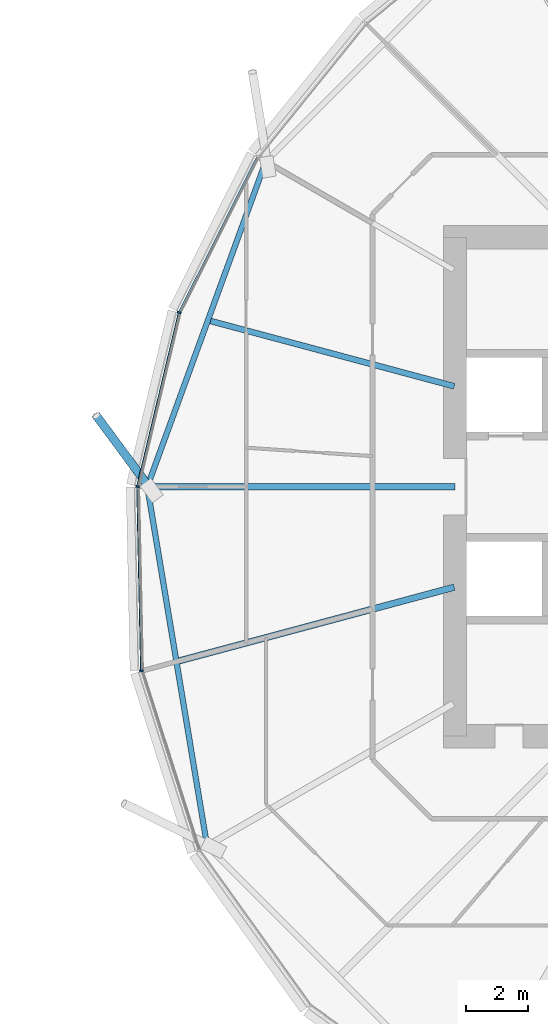
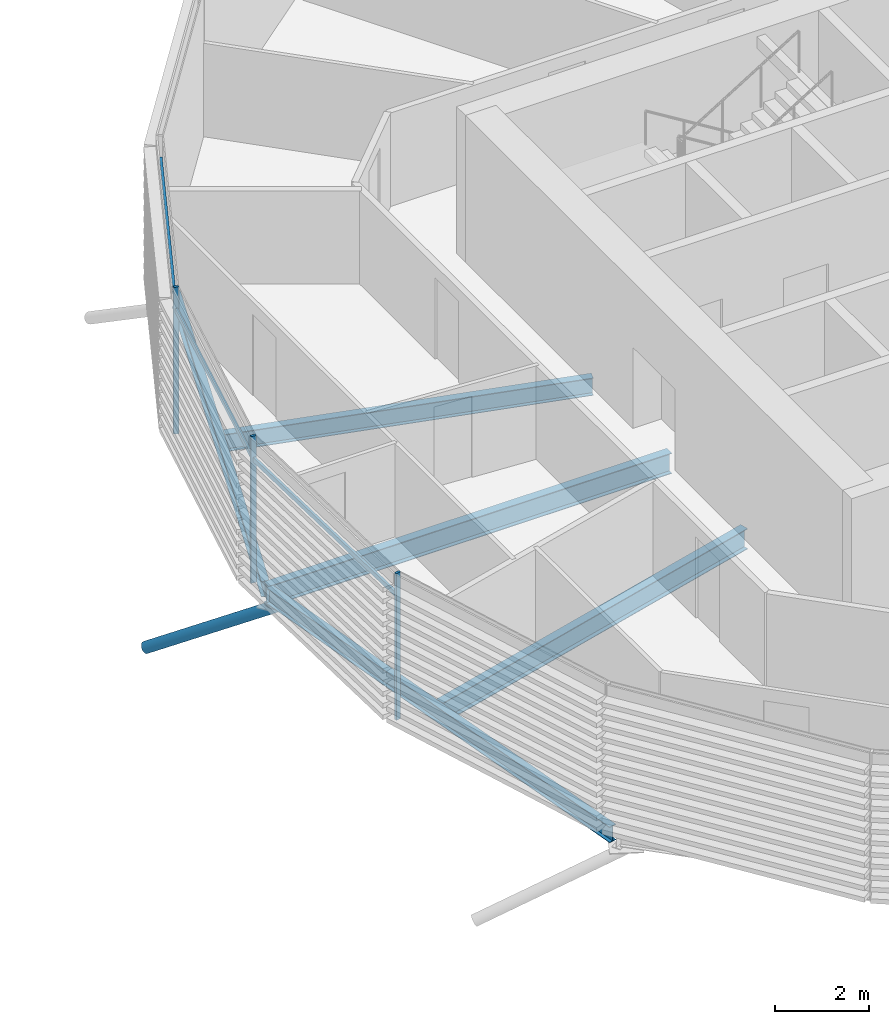
# One storey, part 13 of 39: 7 members, 5 beams, 1 element without a shape of its own.
"""IFC4 building model written with IfcOpenShell, lengths in metres."""

from ifc_helpers import new_model, si_unit, direction, frame, origin, origin_2d, place, context, subcontext, project, spatial, rectangle, hollow_circle, i_section, extrude, clip, halfspace, material, material_profile, profile_set, type_object, element, aggregate, save


model = new_model("IFC4")

# Units and contexts
model_context = context("Model", 3, precision=1e-05, world=origin(), true_north=direction((0.0, 1.0)))
body_context = subcontext(model_context, "Body", "Model", "MODEL_VIEW")
ifc_project = project(units=[si_unit("LENGTHUNIT", "METRE"), si_unit("AREAUNIT", "SQUARE_METRE"), si_unit("VOLUMEUNIT", "CUBIC_METRE"), si_unit("PLANEANGLEUNIT", "RADIAN"), si_unit("MASSUNIT", "GRAM", prefix="KILO")], contexts=[model_context])

# Site, building, storey
site_placement = place(None, origin())
site = spatial("IfcSite", under=ifc_project, at=site_placement, CompositionType="ELEMENT")
building_placement = place(site_placement, origin())
building = spatial("IfcBuilding", under=site, at=building_placement, Name="Rimbun Link Towers", CompositionType="ELEMENT")
storey_placement = place(building_placement, frame((0.0, 0.0, 100.60009765625)))
storey = spatial("IfcBuildingStorey", under=building, at=storey_placement, Name="L24", CompositionType="ELEMENT", Elevation=100.60009765625)

# Curtain wall, members
ifc_material_1 = material(Name="Aluminium 6063-T6 and low-iron glass", Category="aluminium")
curtain_wall_type = type_object("IfcCurtainWallType", Name="CW1-Z2 unitised vision wall (zone 2)", PredefinedType="NOTDEFINED", material=ifc_material_1)
curtain_wall_placement = place(storey_placement, origin())
curtain_wall = element("IfcCurtainWall", 1, at=curtain_wall_placement, inside=storey, type_object=curtain_wall_type, Name="CW1 L24 T2", PredefinedType="NOTDEFINED")
ifc_material_2 = material(Name="Aluminium 6063-T6", Category="aluminium")
ifc_material_profile_1 = material_profile(ifc_material_2, rectangle(XDim=0.1201171875, YDim=0.06005859375, at=origin_2d()), Name="MULLION 60X120")
ifc_profile_set_1 = profile_set([ifc_material_profile_1], Name="Aluminium 6063-T6")
member_type_1 = type_object("IfcMemberType", Name="CW1 mullion 60X120", PredefinedType="MULLION", material=ifc_profile_set_1)
member_1_placement = place(storey_placement, frame((10.8974609375, 5.593017578125, 0.0), z_axis=(0.0, 0.0, 1.0), x_axis=(-0.939346368321, 0.34296997, 0.0)))
member_1 = element("IfcMember", 2, at=member_1_placement, type_object=member_type_1, Name="CW1 mullion", PredefinedType="MULLION", context=body_context, shape_type="SweptSolid", body=[
    extrude(rectangle(XDim=0.1201171875, YDim=0.06005859375, at=origin_2d()), origin(), (0.0, 0.0, 1.0), 3.7998046875),
])
member_2_placement = place(storey_placement, frame((9.561279296875, 0.00634765625, 0.0), z_axis=(0.0, 0.0, 1.0), x_axis=(-0.994297495868, 0.106641875974, 0.0)))
member_2 = element("IfcMember", 3, at=member_2_placement, type_object=member_type_1, Name="CW1 mullion", PredefinedType="MULLION", context=body_context, shape_type="SweptSolid", body=[
    extrude(rectangle(XDim=0.1201171875, YDim=0.06005859375, at=origin_2d()), origin(), (0.0, 0.0, 1.0), 3.7998046875),
])
member_3_placement = place(storey_placement, frame((9.68603515625, -5.906005859375, 0.0), z_axis=(0.0, 0.0, 1.0), x_axis=(-0.986502827503, -0.16374422533, 0.0)))
member_3 = element("IfcMember", 4, at=member_3_placement, type_object=member_type_1, Name="CW1 mullion", PredefinedType="MULLION", context=body_context, shape_type="SweptSolid", body=[
    extrude(rectangle(XDim=0.1201171875, YDim=0.06005859375, at=origin_2d()), origin(), (0.0, 0.0, 1.0), 3.7998046875),
])
ifc_material_3 = material(Name="Aluminium 6063-T6", Category="aluminium")
ifc_material_profile_2 = material_profile(ifc_material_3, rectangle(XDim=0.06005859375, YDim=0.1201171875, at=origin_2d()), Name="TRANSOM 60X120")
ifc_profile_set_2 = profile_set([ifc_material_profile_2], Name="Aluminium 6063-T6")
member_type_2 = type_object("IfcMemberType", Name="CW1 transom 60X120", PredefinedType="USERDEFINED", material=ifc_profile_set_2)
member_4_placement = place(storey_placement, frame((10.915283203125, 5.625244140625, 3.199951171875), z_axis=(0.448769241377, 0.893647675538, 0.0), x_axis=(-0.893647675538, 0.448769241377, 0.0)))
member_4 = element("IfcMember", 5, at=member_4_placement, type_object=member_type_2, Name="CW1 transom", ObjectType="TRANSOM", PredefinedType="USERDEFINED", context=body_context, shape_type="SweptSolid", body=[
    extrude(rectangle(XDim=0.06005859375, YDim=0.1201171875, at=origin_2d()), origin(), (0.0, 0.0, 1.0), 5.521728515625),
])
member_5_placement = place(storey_placement, frame((9.571533203125, 0.042724609375, 3.199951171875), z_axis=(0.232623686715, 0.972566820521, 0.0), x_axis=(-0.972566820521, 0.232623686715, 0.0)))
member_5 = element("IfcMember", 6, at=member_5_placement, type_object=member_type_2, Name="CW1 transom", ObjectType="TRANSOM", PredefinedType="USERDEFINED", context=body_context, shape_type="SweptSolid", body=[
    extrude(rectangle(XDim=0.06005859375, YDim=0.1201171875, at=origin_2d()), origin(), (0.0, 0.0, 1.0), 5.66943359375),
])
member_6_placement = place(storey_placement, frame((9.6865234375, -5.867431640625, 3.199951171875), z_axis=(-0.021036966549, 0.999778698532, 0.0), x_axis=(-0.999778698532, -0.021036966549, 0.0)))
member_6 = element("IfcMember", 7, at=member_6_placement, type_object=member_type_2, Name="CW1 transom", ObjectType="TRANSOM", PredefinedType="USERDEFINED", context=body_context, shape_type="SweptSolid", body=[
    extrude(rectangle(XDim=0.06005859375, YDim=0.1201171875, at=origin_2d()), origin(), (0.0, 0.0, 1.0), 5.83740234375),
])
aggregate(curtain_wall, [member_1, member_2, member_3, member_4, member_5, member_6])

# Member
ifc_material_4 = material(Name="Steel S355J2H", Category="steel")
ifc_material_profile_3 = material_profile(ifc_material_4, hollow_circle(Radius=0.136474609375, WallThickness=0.012451171875, at=origin_2d()), Name="CHS 273x12.5")
ifc_profile_set_3 = profile_set([ifc_material_profile_3], Name="Steel S355J2H")
member_type_3 = type_object("IfcMemberType", Name="Floor edge link CHS 273x12.5", PredefinedType="BRACE", material=ifc_profile_set_3)
member_7_placement = place(storey_placement, frame((9.927978515625, 0.0, -0.80859375), z_axis=(-0.501602441487, 0.678971035558, -0.536090779223), x_axis=(-0.804315252575, -0.594202805846, 0.0)))
element("IfcMember", 8, at=member_7_placement, inside=storey, type_object=member_type_3, Name="Floor edge link T2 L24 09", PredefinedType="BRACE", context=body_context, shape_type="Clipping", body=[
    clip(extrude(hollow_circle(Radius=0.136474609375, WallThickness=0.012451171875, at=origin_2d()), frame((0.0, 0.0, -0.448486328125)), (0.0, 0.0, 1.0), 3.818115234375), halfspace(frame((0.0, 0.0, -0.21142578125), z_axis=(0.0, 0.844160338107, -0.536090779223)), False)),
])

# Beams
ifc_material_5 = material(Name="Steel S355J2", Category="steel")
ifc_material_profile_4 = material_profile(ifc_material_5, i_section(OverallWidth=0.177978515625, OverallDepth=0.406494140625, WebThickness=0.0078125, FlangeThickness=0.0126953125, at=origin_2d()), Name="UB 406x178x60")
ifc_profile_set_4 = profile_set([ifc_material_profile_4], Name="Steel S355J2")
beam_type_1 = type_object("IfcBeamType", Name="UB 406x178x60", PredefinedType="BEAM", material=ifc_profile_set_4)
beam_1_placement = place(storey_placement, frame((13.647705078125, 10.351318359375, -0.36328125), z_axis=(-0.342190666509, -0.9396305379, 0.0), x_axis=(0.9396305379, -0.342190666509, 0.0)))
element("IfcBeam", 9, at=beam_1_placement, inside=storey, type_object=beam_type_1, Name="Edge beam T2 L24 07-09", PredefinedType="BEAM", context=body_context, shape_type="SweptSolid", body=[
    extrude(i_section(OverallWidth=0.177978515625, OverallDepth=0.406494140625, WebThickness=0.0078125, FlangeThickness=0.0126953125, at=origin_2d()), origin(), (0.0, 0.0, 1.0), 10.90380859375),
])
beam_2_placement = place(storey_placement, frame((9.8955078125, -0.105712890625, -0.36328125), z_axis=(0.164243513251, -0.986419823582, 0.0), x_axis=(0.986419823582, 0.164243513251, 0.0)))
element("IfcBeam", 10, at=beam_2_placement, inside=storey, type_object=beam_type_1, Name="Edge beam T2 L24 09-11", PredefinedType="BEAM", context=body_context, shape_type="SweptSolid", body=[
    extrude(i_section(OverallWidth=0.177978515625, OverallDepth=0.406494140625, WebThickness=0.0078125, FlangeThickness=0.0126953125, at=origin_2d()), origin(), (0.0, 0.0, 1.0), 11.458984375),
])
ifc_material_6 = material(Name="Steel S355J2", Category="steel")
ifc_material_profile_5 = material_profile(ifc_material_6, i_section(OverallWidth=0.18994140625, OverallDepth=0.453369140625, WebThickness=0.008544921875, FlangeThickness=0.0126953125, at=origin_2d()), Name="UB 457x191x67")
ifc_profile_set_5 = profile_set([ifc_material_profile_5], Name="Steel S355J2")
beam_type_2 = type_object("IfcBeamType", Name="UB 457x191x67", PredefinedType="BEAM", material=ifc_profile_set_5)
beam_3_placement = place(storey_placement, frame((19.724609375, 3.22216796875, -0.38671875), z_axis=(-0.96592420956, 0.25882507874, 0.0), x_axis=(-0.25882507874, -0.96592420956, 0.0)))
element("IfcBeam", 11, at=beam_3_placement, inside=storey, type_object=beam_type_2, Name="Radial beam T2 L24 08", PredefinedType="BEAM", context=body_context, shape_type="SweptSolid", body=[
    extrude(i_section(OverallWidth=0.18994140625, OverallDepth=0.453369140625, WebThickness=0.008544921875, FlangeThickness=0.0126953125, at=origin_2d()), origin(), (0.0, 0.0, 1.0), 8.09033203125),
])
ifc_material_7 = material(Name="Steel S355J2", Category="steel")
ifc_material_profile_6 = material_profile(ifc_material_7, i_section(OverallWidth=0.209228515625, OverallDepth=0.533203125, WebThickness=0.010009765625, FlangeThickness=0.015625, at=origin_2d()), Name="UB 533x210x92")
ifc_profile_set_6 = profile_set([ifc_material_profile_6], Name="Steel S355J2")
beam_type_3 = type_object("IfcBeamType", Name="UB 533x210x92", PredefinedType="BEAM", material=ifc_profile_set_6)
beam_4_placement = place(storey_placement, frame((19.7490234375, 0.0, -0.426513671875), z_axis=(-1.0, 0.0, 0.0), x_axis=(0.0, -1.0, 0.0)))
element("IfcBeam", 12, at=beam_4_placement, inside=storey, type_object=beam_type_3, Name="Radial beam T2 L24 09", PredefinedType="BEAM", context=body_context, shape_type="SweptSolid", body=[
    extrude(i_section(OverallWidth=0.209228515625, OverallDepth=0.533203125, WebThickness=0.010009765625, FlangeThickness=0.015625, at=origin_2d()), origin(), (0.0, 0.0, 1.0), 9.870849609375),
])
beam_5_placement = place(storey_placement, frame((19.721923828125, -3.222900390625, -0.426513671875), z_axis=(-0.965925024177, -0.258822038606, 0.0), x_axis=(0.258822038606, -0.965925024177, 0.0)))
element("IfcBeam", 13, at=beam_5_placement, inside=storey, type_object=beam_type_3, Name="Radial beam T2 L24 10", PredefinedType="BEAM", context=body_context, shape_type="SweptSolid", body=[
    extrude(i_section(OverallWidth=0.209228515625, OverallDepth=0.533203125, WebThickness=0.010009765625, FlangeThickness=0.015625, at=origin_2d()), origin(), (0.0, 0.0, 1.0), 9.1337890625),
])

save(model, "model.ifc")
